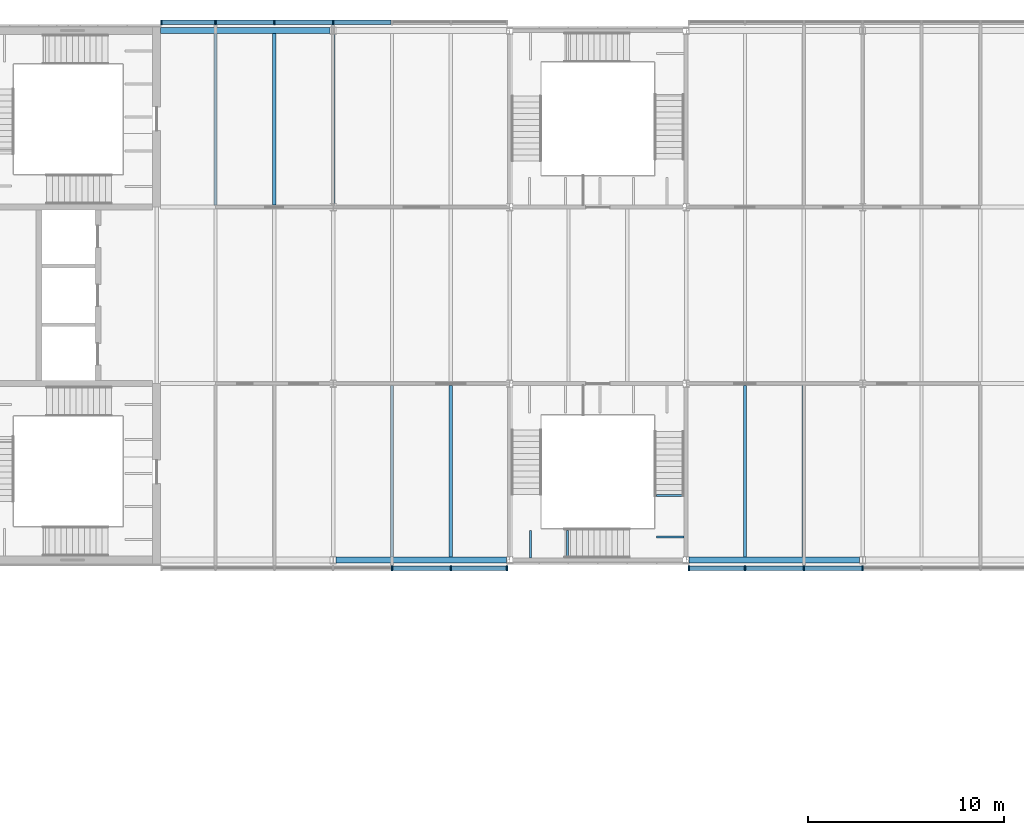
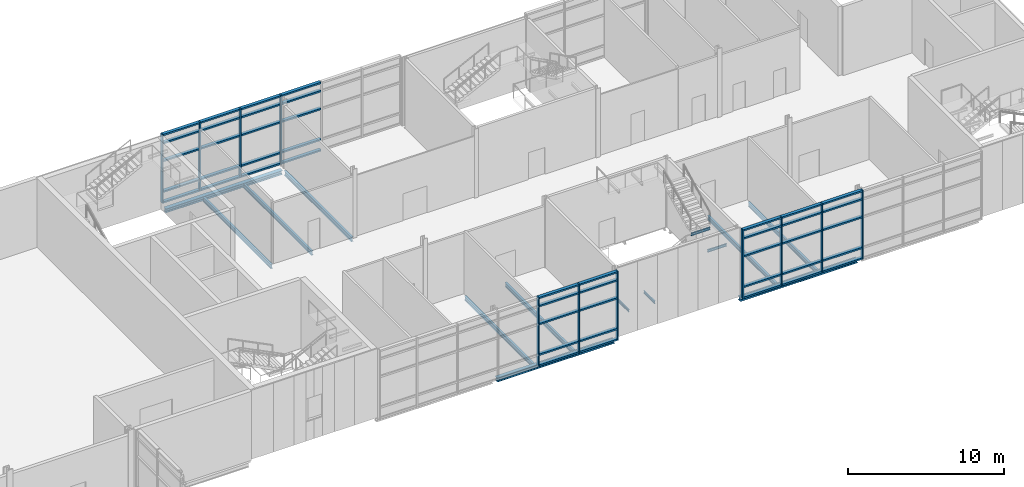
# One storey, part 21 of 52: 56 members, 14 beams, 3 elements without a shape of their own.
"""IFC4 building model written with IfcOpenShell, lengths in metres."""

from ifc_helpers import new_model, si_unit, direction, frame, origin, origin_2d, place, context, subcontext, project, spatial, rectangle, i_section, extrude, material, material_profile, profile_set, type_object, element, aggregate, save


model = new_model("IFC4")

# Units and contexts
model_context = context("Model", 3, precision=1e-05, world=origin(), true_north=direction((0.0, 1.0)))
body_context = subcontext(model_context, "Body", "Model", "MODEL_VIEW")
ifc_project = project(units=[si_unit("LENGTHUNIT", "METRE"), si_unit("AREAUNIT", "SQUARE_METRE"), si_unit("VOLUMEUNIT", "CUBIC_METRE"), si_unit("PLANEANGLEUNIT", "RADIAN"), si_unit("MASSUNIT", "GRAM", prefix="KILO")], contexts=[model_context])

# Site, building, storey
site_placement = place(None, origin())
site = spatial("IfcSite", under=ifc_project, at=site_placement, CompositionType="ELEMENT")
building_placement = place(site_placement, origin())
building = spatial("IfcBuilding", under=site, at=building_placement, Name="Azimuth Sports and Learning Centre", CompositionType="ELEMENT")
storey_placement = place(building_placement, frame((0.0, 0.0, 16.199951171875)))
storey = spatial("IfcBuildingStorey", under=building, at=storey_placement, Name="L03", CompositionType="ELEMENT", Elevation=16.199951171875)

# Beams
ifc_material_1 = material(Name="Steel S355", Category="steel")
ifc_material_profile_1 = material_profile(ifc_material_1, i_section(OverallWidth=0.10009765625, OverallDepth=0.199951171875, WebThickness=0.005615234375, FlangeThickness=0.008544921875, FilletRadius=0.011962890625, at=origin_2d()), Name="IPE 200")
ifc_profile_set_1 = profile_set([ifc_material_profile_1], Name="Steel S355")
beam_type_1 = type_object("IfcBeamType", Name="Beam IPE 200", PredefinedType="BEAM", material=ifc_profile_set_1)
for number, where, z_axis, x_axis, name in (
    (1, (136.06005859375, 90.10009765625, 1.5), (0.0, 1.0, 0.0), (-1.0, 0.0, 0.0), "Landing bracket EM1 L03 944"),
    (2, (137.9599609375, 90.10009765625, 1.5), (0.0, 1.0, 0.0), (-1.0, 0.0, 0.0), "Landing bracket EM1 L03 945"),
    (3, (143.89990234375, 91.172607421875, 3.300048828125), (-1.0, 0.0, 0.0), (0.0, -1.0, 0.0), "Landing bracket EM1 L03 946"),
    (4, (143.89990234375, 93.297607421875, 3.300048828125), (-1.0, 0.0, 0.0), (0.0, -1.0, 0.0), "Landing bracket EM1 L03 947"),
):
    element("IfcBeam", number, at=place(storey_placement, frame(where, z_axis=z_axis, x_axis=x_axis)), inside=storey, type_object=beam_type_1, Name=name, PredefinedType="BEAM", context=body_context, shape_type="SweptSolid", body=[
        extrude(i_section(OverallWidth=0.10009765625, OverallDepth=0.199951171875, WebThickness=0.005615234375, FlangeThickness=0.008544921875, FilletRadius=0.011962890625, at=origin_2d()), origin(), (0.0, 0.0, 1.0), 1.409912109375),
    ])
ifc_material_2 = material(Name="Steel S355", Category="steel")
ifc_material_profile_2 = material_profile(ifc_material_2, i_section(OverallWidth=0.169921875, OverallDepth=0.360107421875, WebThickness=0.008056640625, FlangeThickness=0.0126953125, FilletRadius=0.01806640625, at=origin_2d()), Name="IPE 360")
ifc_profile_set_2 = profile_set([ifc_material_profile_2], Name="Steel S355")
beam_type_2 = type_object("IfcBeamType", Name="Beam IPE 360", PredefinedType="BEAM", material=ifc_profile_set_2)
beam_1_placement = place(storey_placement, frame((126.0, 108.179931640625, -0.329833984375), z_axis=(0.0, 1.0, 0.0), x_axis=(-1.0, 0.0, 0.0)))
element("IfcBeam", 5, at=beam_1_placement, inside=storey, type_object=beam_type_2, Name="Beam L03 WE 20", PredefinedType="BEAM", context=body_context, shape_type="SweptSolid", body=[
    extrude(i_section(OverallWidth=0.169921875, OverallDepth=0.360107421875, WebThickness=0.008056640625, FlangeThickness=0.0126953125, FilletRadius=0.01806640625, at=origin_2d()), origin(), (0.0, 0.0, 1.0), 8.64013671875),
])
ifc_material_3 = material(Name="Steel S355", Category="steel")
ifc_material_profile_3 = material_profile(ifc_material_3, i_section(OverallWidth=0.300048828125, OverallDepth=0.31005859375, WebThickness=0.009033203125, FlangeThickness=0.015380859375, FilletRadius=0.027099609375, at=origin_2d()), Name="HEA 320")
ifc_profile_set_3 = profile_set([ifc_material_profile_3], Name="Steel S355")
beam_type_3 = type_object("IfcBeamType", Name="Edge beam HEA 320", PredefinedType="SPANDREL", material=ifc_profile_set_3)
for number, where, z_axis, x_axis, name in (
    (6, (126.14990234375, 90.0, -0.304931640625), (1.0, 0.0, 0.0), (0.0, 1.0, 0.0), "Edge beam L03 WE 2"),
    (7, (144.14990234375, 90.0, -0.304931640625), (1.0, 0.0, 0.0), (0.0, 1.0, 0.0), "Edge beam L03 WE 3"),
):
    element("IfcBeam", number, at=place(storey_placement, frame(where, z_axis=z_axis, x_axis=x_axis)), inside=storey, type_object=beam_type_3, Name=name, PredefinedType="SPANDREL", context=body_context, shape_type="SweptSolid", body=[
        extrude(i_section(OverallWidth=0.300048828125, OverallDepth=0.31005859375, WebThickness=0.009033203125, FlangeThickness=0.015380859375, FilletRadius=0.027099609375, at=origin_2d()), origin(), (0.0, 0.0, 1.0), 8.7001953125),
    ])
beam_2_placement = place(storey_placement, frame((117.199951171875, 117.0, -0.304931640625), z_axis=(1.0, 0.0, 0.0), x_axis=(0.0, 1.0, 0.0)))
element("IfcBeam", 8, at=beam_2_placement, inside=storey, type_object=beam_type_3, Name="Edge beam L03 WE 13", PredefinedType="SPANDREL", context=body_context, shape_type="SweptSolid", body=[
    extrude(i_section(OverallWidth=0.300048828125, OverallDepth=0.31005859375, WebThickness=0.009033203125, FlangeThickness=0.015380859375, FilletRadius=0.027099609375, at=origin_2d()), origin(), (0.0, 0.0, 1.0), 8.650146484375),
])
ifc_material_4 = material(Name="Steel S355", Category="steel")
ifc_material_profile_4 = material_profile(ifc_material_4, i_section(OverallWidth=0.159912109375, OverallDepth=0.330078125, WebThickness=0.007568359375, FlangeThickness=0.011474609375, FilletRadius=0.01806640625, at=origin_2d()), Name="IPE 330")
ifc_profile_set_4 = profile_set([ifc_material_profile_4], Name="Steel S355")
beam_type_4 = type_object("IfcBeamType", Name="Joist IPE 330", PredefinedType="JOIST", material=ifc_profile_set_4)
for number, where, z_axis, x_axis, name in (
    (9, (120.0, 108.10009765625, -0.31494140625), (0.0, 1.0, 0.0), (-1.0, 0.0, 0.0), "Joist L03 WE 29"),
    (10, (123.0, 108.10009765625, -0.31494140625), (0.0, 1.0, 0.0), (-1.0, 0.0, 0.0), "Joist L03 WE 32"),
    (11, (129.0, 90.14990234375, -0.31494140625), (0.0, 1.0, 0.0), (-1.0, 0.0, 0.0), "Joist L03 WE 33"),
    (12, (132.0, 90.14990234375, -0.31494140625), (0.0, 1.0, 0.0), (-1.0, 0.0, 0.0), "Joist L03 WE 36"),
    (13, (147.0, 90.14990234375, -0.31494140625), (0.0, 1.0, 0.0), (-1.0, 0.0, 0.0), "Joist L03 WE 41"),
    (14, (150.0, 90.14990234375, -0.31494140625), (0.0, 1.0, 0.0), (-1.0, 0.0, 0.0), "Joist L03 WE 44"),
):
    element("IfcBeam", number, at=place(storey_placement, frame(where, z_axis=z_axis, x_axis=x_axis)), inside=storey, type_object=beam_type_4, Name=name, PredefinedType="JOIST", context=body_context, shape_type="SweptSolid", body=[
        extrude(i_section(OverallWidth=0.159912109375, OverallDepth=0.330078125, WebThickness=0.007568359375, FlangeThickness=0.011474609375, FilletRadius=0.01806640625, at=origin_2d()), origin(), (0.0, 0.0, 1.0), 8.75),
    ])

# Curtain wall, members
ifc_material_5 = material(Name="Aluminium and glass", Category="aluminium")
curtain_wall_type = type_object("IfcCurtainWallType", Name="Curtain wall podium wing 240", PredefinedType="NOTDEFINED", material=ifc_material_5)
curtain_wall_1_placement = place(storey_placement, origin())
curtain_wall_1 = element("IfcCurtainWall", 15, at=curtain_wall_1_placement, inside=storey, type_object=curtain_wall_type, Name="Curtain wall CW03-009", PredefinedType="NOTDEFINED")
ifc_material_6 = material(Name="Aluminium", Category="aluminium")
ifc_material_profile_5 = material_profile(ifc_material_6, rectangle(XDim=0.239990234375, YDim=0.080078125, at=origin_2d()), Name="Mullion 80x240")
ifc_profile_set_5 = profile_set([ifc_material_profile_5], Name="Aluminium")
member_type_1 = type_object("IfcMemberType", Name="Mullion 80x240", PredefinedType="MULLION", material=ifc_profile_set_5)
member_1_placement = place(storey_placement, frame((129.0, 89.580078125, 0.0), z_axis=(0.0, 0.0, 1.0), x_axis=(0.0, 1.0, 0.0)))
member_1 = element("IfcMember", 16, at=member_1_placement, type_object=member_type_1, Name="CW03-009 mullion 5", PredefinedType="MULLION", context=body_context, shape_type="SweptSolid", body=[
    extrude(rectangle(XDim=0.239990234375, YDim=0.080078125, at=origin_2d()), origin(), (0.0, 0.0, 1.0), 5.400146484375),
])
member_2_placement = place(storey_placement, frame((132.0, 89.580078125, 0.0), z_axis=(0.0, 0.0, 1.0), x_axis=(0.0, 1.0, 0.0)))
member_2 = element("IfcMember", 17, at=member_2_placement, type_object=member_type_1, Name="CW03-009 mullion 6", PredefinedType="MULLION", context=body_context, shape_type="SweptSolid", body=[
    extrude(rectangle(XDim=0.239990234375, YDim=0.080078125, at=origin_2d()), origin(), (0.0, 0.0, 1.0), 5.400146484375),
])
member_3_placement = place(storey_placement, frame((134.860107421875, 89.580078125, 0.0), z_axis=(0.0, 0.0, 1.0), x_axis=(0.0, 1.0, 0.0)))
member_3 = element("IfcMember", 18, at=member_3_placement, type_object=member_type_1, Name="CW03-009 mullion 7", PredefinedType="MULLION", context=body_context, shape_type="SweptSolid", body=[
    extrude(rectangle(XDim=0.239990234375, YDim=0.080078125, at=origin_2d()), origin(), (0.0, 0.0, 1.0), 5.400146484375),
])

curtain_wall_2_placement = place(storey_placement, origin())
curtain_wall_2 = element("IfcCurtainWall", 19, at=curtain_wall_2_placement, inside=storey, type_object=curtain_wall_type, Name="Curtain wall CW03-010", PredefinedType="NOTDEFINED")
member_4_placement = place(storey_placement, frame((144.139892578125, 89.580078125, 0.0), z_axis=(0.0, 0.0, 1.0), x_axis=(0.0, 1.0, 0.0)))
member_4 = element("IfcMember", 20, at=member_4_placement, type_object=member_type_1, Name="CW03-010 mullion 1", PredefinedType="MULLION", context=body_context, shape_type="SweptSolid", body=[
    extrude(rectangle(XDim=0.239990234375, YDim=0.080078125, at=origin_2d()), origin(), (0.0, 0.0, 1.0), 5.400146484375),
])
member_5_placement = place(storey_placement, frame((147.0, 89.580078125, 0.0), z_axis=(0.0, 0.0, 1.0), x_axis=(0.0, 1.0, 0.0)))
member_5 = element("IfcMember", 21, at=member_5_placement, type_object=member_type_1, Name="CW03-010 mullion 2", PredefinedType="MULLION", context=body_context, shape_type="SweptSolid", body=[
    extrude(rectangle(XDim=0.239990234375, YDim=0.080078125, at=origin_2d()), origin(), (0.0, 0.0, 1.0), 5.400146484375),
])
member_6_placement = place(storey_placement, frame((150.0, 89.580078125, 0.0), z_axis=(0.0, 0.0, 1.0), x_axis=(0.0, 1.0, 0.0)))
member_6 = element("IfcMember", 22, at=member_6_placement, type_object=member_type_1, Name="CW03-010 mullion 3", PredefinedType="MULLION", context=body_context, shape_type="SweptSolid", body=[
    extrude(rectangle(XDim=0.239990234375, YDim=0.080078125, at=origin_2d()), origin(), (0.0, 0.0, 1.0), 5.400146484375),
])
member_7_placement = place(storey_placement, frame((153.0, 89.580078125, 0.0), z_axis=(0.0, 0.0, 1.0), x_axis=(0.0, 1.0, 0.0)))
member_7 = element("IfcMember", 23, at=member_7_placement, type_object=member_type_1, Name="CW03-010 mullion 4", PredefinedType="MULLION", context=body_context, shape_type="SweptSolid", body=[
    extrude(rectangle(XDim=0.239990234375, YDim=0.080078125, at=origin_2d()), origin(), (0.0, 0.0, 1.0), 5.400146484375),
])

curtain_wall_3_placement = place(storey_placement, origin())
curtain_wall_3 = element("IfcCurtainWall", 24, at=curtain_wall_3_placement, inside=storey, type_object=curtain_wall_type, Name="Curtain wall CW03-012", PredefinedType="NOTDEFINED")
member_8_placement = place(storey_placement, frame((126.0, 117.419921875, 0.0), z_axis=(0.0, 0.0, 1.0), x_axis=(0.0, -1.0, 0.0)))
member_8 = element("IfcMember", 25, at=member_8_placement, type_object=member_type_1, Name="CW03-012 mullion 4", PredefinedType="MULLION", context=body_context, shape_type="SweptSolid", body=[
    extrude(rectangle(XDim=0.239990234375, YDim=0.080078125, at=origin_2d()), origin(), (0.0, 0.0, 1.0), 5.400146484375),
])
member_9_placement = place(storey_placement, frame((123.0, 117.419921875, 0.0), z_axis=(0.0, 0.0, 1.0), x_axis=(0.0, -1.0, 0.0)))
member_9 = element("IfcMember", 26, at=member_9_placement, type_object=member_type_1, Name="CW03-012 mullion 5", PredefinedType="MULLION", context=body_context, shape_type="SweptSolid", body=[
    extrude(rectangle(XDim=0.239990234375, YDim=0.080078125, at=origin_2d()), origin(), (0.0, 0.0, 1.0), 5.400146484375),
])
member_10_placement = place(storey_placement, frame((120.0, 117.419921875, 0.0), z_axis=(0.0, 0.0, 1.0), x_axis=(0.0, -1.0, 0.0)))
member_10 = element("IfcMember", 27, at=member_10_placement, type_object=member_type_1, Name="CW03-012 mullion 6", PredefinedType="MULLION", context=body_context, shape_type="SweptSolid", body=[
    extrude(rectangle(XDim=0.239990234375, YDim=0.080078125, at=origin_2d()), origin(), (0.0, 0.0, 1.0), 5.400146484375),
])
member_11_placement = place(storey_placement, frame((117.239990234375, 117.419921875, 0.0), z_axis=(0.0, 0.0, 1.0), x_axis=(0.0, -1.0, 0.0)))
member_11 = element("IfcMember", 28, at=member_11_placement, type_object=member_type_1, Name="CW03-012 mullion 7", PredefinedType="MULLION", context=body_context, shape_type="SweptSolid", body=[
    extrude(rectangle(XDim=0.239990234375, YDim=0.080078125, at=origin_2d()), origin(), (0.0, 0.0, 1.0), 5.400146484375),
])

# Member
ifc_material_7 = material(Name="Aluminium", Category="aluminium")
ifc_material_profile_6 = material_profile(ifc_material_7, rectangle(XDim=0.239990234375, YDim=0.1201171875, at=origin_2d()), Name="Transom 120x240")
ifc_profile_set_6 = profile_set([ifc_material_profile_6], Name="Aluminium")
member_type_2 = type_object("IfcMemberType", Name="Transom 120x240", PredefinedType="USERDEFINED", material=ifc_profile_set_6)
member_12_placement = place(storey_placement, frame((129.0400390625, 89.580078125, 0.06005859375), z_axis=(1.0, 0.0, 0.0), x_axis=(0.0, 1.0, 0.0)))
member_12 = element("IfcMember", 29, at=member_12_placement, type_object=member_type_2, Name="CW03-009 transom 5.1", ObjectType="TRANSOM", PredefinedType="USERDEFINED", context=body_context, shape_type="SweptSolid", body=[
    extrude(rectangle(XDim=0.239990234375, YDim=0.1201171875, at=origin_2d()), origin(), (0.0, 0.0, 1.0), 2.919921875),
])

member_13_placement = place(storey_placement, frame((129.0400390625, 89.580078125, 0.900146484375), z_axis=(1.0, 0.0, 0.0), x_axis=(0.0, 1.0, 0.0)))
member_13 = element("IfcMember", 30, at=member_13_placement, type_object=member_type_2, Name="CW03-009 transom 5.2", ObjectType="TRANSOM", PredefinedType="USERDEFINED", context=body_context, shape_type="SweptSolid", body=[
    extrude(rectangle(XDim=0.239990234375, YDim=0.1201171875, at=origin_2d()), origin(), (0.0, 0.0, 1.0), 2.919921875),
])

member_14_placement = place(storey_placement, frame((129.0400390625, 89.580078125, 3.300048828125), z_axis=(1.0, 0.0, 0.0), x_axis=(0.0, 1.0, 0.0)))
member_14 = element("IfcMember", 31, at=member_14_placement, type_object=member_type_2, Name="CW03-009 transom 5.3", ObjectType="TRANSOM", PredefinedType="USERDEFINED", context=body_context, shape_type="SweptSolid", body=[
    extrude(rectangle(XDim=0.239990234375, YDim=0.1201171875, at=origin_2d()), origin(), (0.0, 0.0, 1.0), 2.919921875),
])

member_15_placement = place(storey_placement, frame((129.0400390625, 89.580078125, 4.699951171875), z_axis=(1.0, 0.0, 0.0), x_axis=(0.0, 1.0, 0.0)))
member_15 = element("IfcMember", 32, at=member_15_placement, type_object=member_type_2, Name="CW03-009 transom 5.4", ObjectType="TRANSOM", PredefinedType="USERDEFINED", context=body_context, shape_type="SweptSolid", body=[
    extrude(rectangle(XDim=0.239990234375, YDim=0.1201171875, at=origin_2d()), origin(), (0.0, 0.0, 1.0), 2.919921875),
])

member_16_placement = place(storey_placement, frame((129.0400390625, 89.580078125, 5.340087890625), z_axis=(1.0, 0.0, 0.0), x_axis=(0.0, 1.0, 0.0)))
member_16 = element("IfcMember", 33, at=member_16_placement, type_object=member_type_2, Name="CW03-009 transom 5.5", ObjectType="TRANSOM", PredefinedType="USERDEFINED", context=body_context, shape_type="SweptSolid", body=[
    extrude(rectangle(XDim=0.239990234375, YDim=0.1201171875, at=origin_2d()), origin(), (0.0, 0.0, 1.0), 2.919921875),
])

member_17_placement = place(storey_placement, frame((132.0400390625, 89.580078125, 0.06005859375), z_axis=(1.0, 0.0, 0.0), x_axis=(0.0, 1.0, 0.0)))
member_17 = element("IfcMember", 34, at=member_17_placement, type_object=member_type_2, Name="CW03-009 transom 6.1", ObjectType="TRANSOM", PredefinedType="USERDEFINED", context=body_context, shape_type="SweptSolid", body=[
    extrude(rectangle(XDim=0.239990234375, YDim=0.1201171875, at=origin_2d()), origin(), (0.0, 0.0, 1.0), 2.780029296875),
])

member_18_placement = place(storey_placement, frame((132.0400390625, 89.580078125, 0.900146484375), z_axis=(1.0, 0.0, 0.0), x_axis=(0.0, 1.0, 0.0)))
member_18 = element("IfcMember", 35, at=member_18_placement, type_object=member_type_2, Name="CW03-009 transom 6.2", ObjectType="TRANSOM", PredefinedType="USERDEFINED", context=body_context, shape_type="SweptSolid", body=[
    extrude(rectangle(XDim=0.239990234375, YDim=0.1201171875, at=origin_2d()), origin(), (0.0, 0.0, 1.0), 2.780029296875),
])

member_19_placement = place(storey_placement, frame((132.0400390625, 89.580078125, 3.300048828125), z_axis=(1.0, 0.0, 0.0), x_axis=(0.0, 1.0, 0.0)))
member_19 = element("IfcMember", 36, at=member_19_placement, type_object=member_type_2, Name="CW03-009 transom 6.3", ObjectType="TRANSOM", PredefinedType="USERDEFINED", context=body_context, shape_type="SweptSolid", body=[
    extrude(rectangle(XDim=0.239990234375, YDim=0.1201171875, at=origin_2d()), origin(), (0.0, 0.0, 1.0), 2.780029296875),
])

member_20_placement = place(storey_placement, frame((132.0400390625, 89.580078125, 4.699951171875), z_axis=(1.0, 0.0, 0.0), x_axis=(0.0, 1.0, 0.0)))
member_20 = element("IfcMember", 37, at=member_20_placement, type_object=member_type_2, Name="CW03-009 transom 6.4", ObjectType="TRANSOM", PredefinedType="USERDEFINED", context=body_context, shape_type="SweptSolid", body=[
    extrude(rectangle(XDim=0.239990234375, YDim=0.1201171875, at=origin_2d()), origin(), (0.0, 0.0, 1.0), 2.780029296875),
])

member_21_placement = place(storey_placement, frame((132.0400390625, 89.580078125, 5.340087890625), z_axis=(1.0, 0.0, 0.0), x_axis=(0.0, 1.0, 0.0)))
member_21 = element("IfcMember", 38, at=member_21_placement, type_object=member_type_2, Name="CW03-009 transom 6.5", ObjectType="TRANSOM", PredefinedType="USERDEFINED", context=body_context, shape_type="SweptSolid", body=[
    extrude(rectangle(XDim=0.239990234375, YDim=0.1201171875, at=origin_2d()), origin(), (0.0, 0.0, 1.0), 2.780029296875),
])

aggregate(curtain_wall_1, [member_1, member_2, member_3, member_12, member_13, member_14, member_15, member_16, member_17, member_18, member_19, member_20, member_21])

member_22_placement = place(storey_placement, frame((144.179931640625, 89.580078125, 0.06005859375), z_axis=(1.0, 0.0, 0.0), x_axis=(0.0, 1.0, 0.0)))
member_22 = element("IfcMember", 39, at=member_22_placement, type_object=member_type_2, Name="CW03-010 transom 1.1", ObjectType="TRANSOM", PredefinedType="USERDEFINED", context=body_context, shape_type="SweptSolid", body=[
    extrude(rectangle(XDim=0.239990234375, YDim=0.1201171875, at=origin_2d()), origin(), (0.0, 0.0, 1.0), 2.780029296875),
])

member_23_placement = place(storey_placement, frame((144.179931640625, 89.580078125, 0.900146484375), z_axis=(1.0, 0.0, 0.0), x_axis=(0.0, 1.0, 0.0)))
member_23 = element("IfcMember", 40, at=member_23_placement, type_object=member_type_2, Name="CW03-010 transom 1.2", ObjectType="TRANSOM", PredefinedType="USERDEFINED", context=body_context, shape_type="SweptSolid", body=[
    extrude(rectangle(XDim=0.239990234375, YDim=0.1201171875, at=origin_2d()), origin(), (0.0, 0.0, 1.0), 2.780029296875),
])

member_24_placement = place(storey_placement, frame((144.179931640625, 89.580078125, 3.300048828125), z_axis=(1.0, 0.0, 0.0), x_axis=(0.0, 1.0, 0.0)))
member_24 = element("IfcMember", 41, at=member_24_placement, type_object=member_type_2, Name="CW03-010 transom 1.3", ObjectType="TRANSOM", PredefinedType="USERDEFINED", context=body_context, shape_type="SweptSolid", body=[
    extrude(rectangle(XDim=0.239990234375, YDim=0.1201171875, at=origin_2d()), origin(), (0.0, 0.0, 1.0), 2.780029296875),
])

member_25_placement = place(storey_placement, frame((144.179931640625, 89.580078125, 4.699951171875), z_axis=(1.0, 0.0, 0.0), x_axis=(0.0, 1.0, 0.0)))
member_25 = element("IfcMember", 42, at=member_25_placement, type_object=member_type_2, Name="CW03-010 transom 1.4", ObjectType="TRANSOM", PredefinedType="USERDEFINED", context=body_context, shape_type="SweptSolid", body=[
    extrude(rectangle(XDim=0.239990234375, YDim=0.1201171875, at=origin_2d()), origin(), (0.0, 0.0, 1.0), 2.780029296875),
])

member_26_placement = place(storey_placement, frame((144.179931640625, 89.580078125, 5.340087890625), z_axis=(1.0, 0.0, 0.0), x_axis=(0.0, 1.0, 0.0)))
member_26 = element("IfcMember", 43, at=member_26_placement, type_object=member_type_2, Name="CW03-010 transom 1.5", ObjectType="TRANSOM", PredefinedType="USERDEFINED", context=body_context, shape_type="SweptSolid", body=[
    extrude(rectangle(XDim=0.239990234375, YDim=0.1201171875, at=origin_2d()), origin(), (0.0, 0.0, 1.0), 2.780029296875),
])

member_27_placement = place(storey_placement, frame((147.0400390625, 89.580078125, 0.06005859375), z_axis=(1.0, 0.0, 0.0), x_axis=(0.0, 1.0, 0.0)))
member_27 = element("IfcMember", 44, at=member_27_placement, type_object=member_type_2, Name="CW03-010 transom 2.1", ObjectType="TRANSOM", PredefinedType="USERDEFINED", context=body_context, shape_type="SweptSolid", body=[
    extrude(rectangle(XDim=0.239990234375, YDim=0.1201171875, at=origin_2d()), origin(), (0.0, 0.0, 1.0), 2.919921875),
])

member_28_placement = place(storey_placement, frame((147.0400390625, 89.580078125, 0.900146484375), z_axis=(1.0, 0.0, 0.0), x_axis=(0.0, 1.0, 0.0)))
member_28 = element("IfcMember", 45, at=member_28_placement, type_object=member_type_2, Name="CW03-010 transom 2.2", ObjectType="TRANSOM", PredefinedType="USERDEFINED", context=body_context, shape_type="SweptSolid", body=[
    extrude(rectangle(XDim=0.239990234375, YDim=0.1201171875, at=origin_2d()), origin(), (0.0, 0.0, 1.0), 2.919921875),
])

member_29_placement = place(storey_placement, frame((147.0400390625, 89.580078125, 3.300048828125), z_axis=(1.0, 0.0, 0.0), x_axis=(0.0, 1.0, 0.0)))
member_29 = element("IfcMember", 46, at=member_29_placement, type_object=member_type_2, Name="CW03-010 transom 2.3", ObjectType="TRANSOM", PredefinedType="USERDEFINED", context=body_context, shape_type="SweptSolid", body=[
    extrude(rectangle(XDim=0.239990234375, YDim=0.1201171875, at=origin_2d()), origin(), (0.0, 0.0, 1.0), 2.919921875),
])

member_30_placement = place(storey_placement, frame((147.0400390625, 89.580078125, 4.699951171875), z_axis=(1.0, 0.0, 0.0), x_axis=(0.0, 1.0, 0.0)))
member_30 = element("IfcMember", 47, at=member_30_placement, type_object=member_type_2, Name="CW03-010 transom 2.4", ObjectType="TRANSOM", PredefinedType="USERDEFINED", context=body_context, shape_type="SweptSolid", body=[
    extrude(rectangle(XDim=0.239990234375, YDim=0.1201171875, at=origin_2d()), origin(), (0.0, 0.0, 1.0), 2.919921875),
])

member_31_placement = place(storey_placement, frame((147.0400390625, 89.580078125, 5.340087890625), z_axis=(1.0, 0.0, 0.0), x_axis=(0.0, 1.0, 0.0)))
member_31 = element("IfcMember", 48, at=member_31_placement, type_object=member_type_2, Name="CW03-010 transom 2.5", ObjectType="TRANSOM", PredefinedType="USERDEFINED", context=body_context, shape_type="SweptSolid", body=[
    extrude(rectangle(XDim=0.239990234375, YDim=0.1201171875, at=origin_2d()), origin(), (0.0, 0.0, 1.0), 2.919921875),
])

member_32_placement = place(storey_placement, frame((150.0400390625, 89.580078125, 0.06005859375), z_axis=(1.0, 0.0, 0.0), x_axis=(0.0, 1.0, 0.0)))
member_32 = element("IfcMember", 49, at=member_32_placement, type_object=member_type_2, Name="CW03-010 transom 3.1", ObjectType="TRANSOM", PredefinedType="USERDEFINED", context=body_context, shape_type="SweptSolid", body=[
    extrude(rectangle(XDim=0.239990234375, YDim=0.1201171875, at=origin_2d()), origin(), (0.0, 0.0, 1.0), 2.919921875),
])

member_33_placement = place(storey_placement, frame((150.0400390625, 89.580078125, 0.900146484375), z_axis=(1.0, 0.0, 0.0), x_axis=(0.0, 1.0, 0.0)))
member_33 = element("IfcMember", 50, at=member_33_placement, type_object=member_type_2, Name="CW03-010 transom 3.2", ObjectType="TRANSOM", PredefinedType="USERDEFINED", context=body_context, shape_type="SweptSolid", body=[
    extrude(rectangle(XDim=0.239990234375, YDim=0.1201171875, at=origin_2d()), origin(), (0.0, 0.0, 1.0), 2.919921875),
])

member_34_placement = place(storey_placement, frame((150.0400390625, 89.580078125, 3.300048828125), z_axis=(1.0, 0.0, 0.0), x_axis=(0.0, 1.0, 0.0)))
member_34 = element("IfcMember", 51, at=member_34_placement, type_object=member_type_2, Name="CW03-010 transom 3.3", ObjectType="TRANSOM", PredefinedType="USERDEFINED", context=body_context, shape_type="SweptSolid", body=[
    extrude(rectangle(XDim=0.239990234375, YDim=0.1201171875, at=origin_2d()), origin(), (0.0, 0.0, 1.0), 2.919921875),
])

member_35_placement = place(storey_placement, frame((150.0400390625, 89.580078125, 4.699951171875), z_axis=(1.0, 0.0, 0.0), x_axis=(0.0, 1.0, 0.0)))
member_35 = element("IfcMember", 52, at=member_35_placement, type_object=member_type_2, Name="CW03-010 transom 3.4", ObjectType="TRANSOM", PredefinedType="USERDEFINED", context=body_context, shape_type="SweptSolid", body=[
    extrude(rectangle(XDim=0.239990234375, YDim=0.1201171875, at=origin_2d()), origin(), (0.0, 0.0, 1.0), 2.919921875),
])

member_36_placement = place(storey_placement, frame((150.0400390625, 89.580078125, 5.340087890625), z_axis=(1.0, 0.0, 0.0), x_axis=(0.0, 1.0, 0.0)))
member_36 = element("IfcMember", 53, at=member_36_placement, type_object=member_type_2, Name="CW03-010 transom 3.5", ObjectType="TRANSOM", PredefinedType="USERDEFINED", context=body_context, shape_type="SweptSolid", body=[
    extrude(rectangle(XDim=0.239990234375, YDim=0.1201171875, at=origin_2d()), origin(), (0.0, 0.0, 1.0), 2.919921875),
])

aggregate(curtain_wall_2, [member_4, member_5, member_6, member_7, member_22, member_23, member_24, member_25, member_26, member_27, member_28, member_29, member_30, member_31, member_32, member_33, member_34, member_35, member_36])

member_37_placement = place(storey_placement, frame((128.9599609375, 117.419921875, 0.06005859375), z_axis=(-1.0, 0.0, 0.0), x_axis=(0.0, -1.0, 0.0)))
member_37 = element("IfcMember", 54, at=member_37_placement, type_object=member_type_2, Name="CW03-012 transom 3.1", ObjectType="TRANSOM", PredefinedType="USERDEFINED", context=body_context, shape_type="SweptSolid", body=[
    extrude(rectangle(XDim=0.239990234375, YDim=0.1201171875, at=origin_2d()), origin(), (0.0, 0.0, 1.0), 2.919921875),
])

member_38_placement = place(storey_placement, frame((128.9599609375, 117.419921875, 0.900146484375), z_axis=(-1.0, 0.0, 0.0), x_axis=(0.0, -1.0, 0.0)))
member_38 = element("IfcMember", 55, at=member_38_placement, type_object=member_type_2, Name="CW03-012 transom 3.2", ObjectType="TRANSOM", PredefinedType="USERDEFINED", context=body_context, shape_type="SweptSolid", body=[
    extrude(rectangle(XDim=0.239990234375, YDim=0.1201171875, at=origin_2d()), origin(), (0.0, 0.0, 1.0), 2.919921875),
])

member_39_placement = place(storey_placement, frame((128.9599609375, 117.419921875, 3.300048828125), z_axis=(-1.0, 0.0, 0.0), x_axis=(0.0, -1.0, 0.0)))
member_39 = element("IfcMember", 56, at=member_39_placement, type_object=member_type_2, Name="CW03-012 transom 3.3", ObjectType="TRANSOM", PredefinedType="USERDEFINED", context=body_context, shape_type="SweptSolid", body=[
    extrude(rectangle(XDim=0.239990234375, YDim=0.1201171875, at=origin_2d()), origin(), (0.0, 0.0, 1.0), 2.919921875),
])

member_40_placement = place(storey_placement, frame((128.9599609375, 117.419921875, 4.699951171875), z_axis=(-1.0, 0.0, 0.0), x_axis=(0.0, -1.0, 0.0)))
member_40 = element("IfcMember", 57, at=member_40_placement, type_object=member_type_2, Name="CW03-012 transom 3.4", ObjectType="TRANSOM", PredefinedType="USERDEFINED", context=body_context, shape_type="SweptSolid", body=[
    extrude(rectangle(XDim=0.239990234375, YDim=0.1201171875, at=origin_2d()), origin(), (0.0, 0.0, 1.0), 2.919921875),
])

member_41_placement = place(storey_placement, frame((128.9599609375, 117.419921875, 5.340087890625), z_axis=(-1.0, 0.0, 0.0), x_axis=(0.0, -1.0, 0.0)))
member_41 = element("IfcMember", 58, at=member_41_placement, type_object=member_type_2, Name="CW03-012 transom 3.5", ObjectType="TRANSOM", PredefinedType="USERDEFINED", context=body_context, shape_type="SweptSolid", body=[
    extrude(rectangle(XDim=0.239990234375, YDim=0.1201171875, at=origin_2d()), origin(), (0.0, 0.0, 1.0), 2.919921875),
])

member_42_placement = place(storey_placement, frame((125.9599609375, 117.419921875, 0.06005859375), z_axis=(-1.0, 0.0, 0.0), x_axis=(0.0, -1.0, 0.0)))
member_42 = element("IfcMember", 59, at=member_42_placement, type_object=member_type_2, Name="CW03-012 transom 4.1", ObjectType="TRANSOM", PredefinedType="USERDEFINED", context=body_context, shape_type="SweptSolid", body=[
    extrude(rectangle(XDim=0.239990234375, YDim=0.1201171875, at=origin_2d()), origin(), (0.0, 0.0, 1.0), 2.919921875),
])

member_43_placement = place(storey_placement, frame((125.9599609375, 117.419921875, 0.900146484375), z_axis=(-1.0, 0.0, 0.0), x_axis=(0.0, -1.0, 0.0)))
member_43 = element("IfcMember", 60, at=member_43_placement, type_object=member_type_2, Name="CW03-012 transom 4.2", ObjectType="TRANSOM", PredefinedType="USERDEFINED", context=body_context, shape_type="SweptSolid", body=[
    extrude(rectangle(XDim=0.239990234375, YDim=0.1201171875, at=origin_2d()), origin(), (0.0, 0.0, 1.0), 2.919921875),
])

member_44_placement = place(storey_placement, frame((125.9599609375, 117.419921875, 3.300048828125), z_axis=(-1.0, 0.0, 0.0), x_axis=(0.0, -1.0, 0.0)))
member_44 = element("IfcMember", 61, at=member_44_placement, type_object=member_type_2, Name="CW03-012 transom 4.3", ObjectType="TRANSOM", PredefinedType="USERDEFINED", context=body_context, shape_type="SweptSolid", body=[
    extrude(rectangle(XDim=0.239990234375, YDim=0.1201171875, at=origin_2d()), origin(), (0.0, 0.0, 1.0), 2.919921875),
])

member_45_placement = place(storey_placement, frame((125.9599609375, 117.419921875, 4.699951171875), z_axis=(-1.0, 0.0, 0.0), x_axis=(0.0, -1.0, 0.0)))
member_45 = element("IfcMember", 62, at=member_45_placement, type_object=member_type_2, Name="CW03-012 transom 4.4", ObjectType="TRANSOM", PredefinedType="USERDEFINED", context=body_context, shape_type="SweptSolid", body=[
    extrude(rectangle(XDim=0.239990234375, YDim=0.1201171875, at=origin_2d()), origin(), (0.0, 0.0, 1.0), 2.919921875),
])

member_46_placement = place(storey_placement, frame((125.9599609375, 117.419921875, 5.340087890625), z_axis=(-1.0, 0.0, 0.0), x_axis=(0.0, -1.0, 0.0)))
member_46 = element("IfcMember", 63, at=member_46_placement, type_object=member_type_2, Name="CW03-012 transom 4.5", ObjectType="TRANSOM", PredefinedType="USERDEFINED", context=body_context, shape_type="SweptSolid", body=[
    extrude(rectangle(XDim=0.239990234375, YDim=0.1201171875, at=origin_2d()), origin(), (0.0, 0.0, 1.0), 2.919921875),
])

member_47_placement = place(storey_placement, frame((122.9599609375, 117.419921875, 0.06005859375), z_axis=(-1.0, 0.0, 0.0), x_axis=(0.0, -1.0, 0.0)))
member_47 = element("IfcMember", 64, at=member_47_placement, type_object=member_type_2, Name="CW03-012 transom 5.1", ObjectType="TRANSOM", PredefinedType="USERDEFINED", context=body_context, shape_type="SweptSolid", body=[
    extrude(rectangle(XDim=0.239990234375, YDim=0.1201171875, at=origin_2d()), origin(), (0.0, 0.0, 1.0), 2.919921875),
])

member_48_placement = place(storey_placement, frame((122.9599609375, 117.419921875, 0.900146484375), z_axis=(-1.0, 0.0, 0.0), x_axis=(0.0, -1.0, 0.0)))
member_48 = element("IfcMember", 65, at=member_48_placement, type_object=member_type_2, Name="CW03-012 transom 5.2", ObjectType="TRANSOM", PredefinedType="USERDEFINED", context=body_context, shape_type="SweptSolid", body=[
    extrude(rectangle(XDim=0.239990234375, YDim=0.1201171875, at=origin_2d()), origin(), (0.0, 0.0, 1.0), 2.919921875),
])

member_49_placement = place(storey_placement, frame((122.9599609375, 117.419921875, 3.300048828125), z_axis=(-1.0, 0.0, 0.0), x_axis=(0.0, -1.0, 0.0)))
member_49 = element("IfcMember", 66, at=member_49_placement, type_object=member_type_2, Name="CW03-012 transom 5.3", ObjectType="TRANSOM", PredefinedType="USERDEFINED", context=body_context, shape_type="SweptSolid", body=[
    extrude(rectangle(XDim=0.239990234375, YDim=0.1201171875, at=origin_2d()), origin(), (0.0, 0.0, 1.0), 2.919921875),
])

member_50_placement = place(storey_placement, frame((122.9599609375, 117.419921875, 4.699951171875), z_axis=(-1.0, 0.0, 0.0), x_axis=(0.0, -1.0, 0.0)))
member_50 = element("IfcMember", 67, at=member_50_placement, type_object=member_type_2, Name="CW03-012 transom 5.4", ObjectType="TRANSOM", PredefinedType="USERDEFINED", context=body_context, shape_type="SweptSolid", body=[
    extrude(rectangle(XDim=0.239990234375, YDim=0.1201171875, at=origin_2d()), origin(), (0.0, 0.0, 1.0), 2.919921875),
])

member_51_placement = place(storey_placement, frame((122.9599609375, 117.419921875, 5.340087890625), z_axis=(-1.0, 0.0, 0.0), x_axis=(0.0, -1.0, 0.0)))
member_51 = element("IfcMember", 68, at=member_51_placement, type_object=member_type_2, Name="CW03-012 transom 5.5", ObjectType="TRANSOM", PredefinedType="USERDEFINED", context=body_context, shape_type="SweptSolid", body=[
    extrude(rectangle(XDim=0.239990234375, YDim=0.1201171875, at=origin_2d()), origin(), (0.0, 0.0, 1.0), 2.919921875),
])

member_52_placement = place(storey_placement, frame((119.9599609375, 117.419921875, 0.06005859375), z_axis=(-1.0, 0.0, 0.0), x_axis=(0.0, -1.0, 0.0)))
member_52 = element("IfcMember", 69, at=member_52_placement, type_object=member_type_2, Name="CW03-012 transom 6.1", ObjectType="TRANSOM", PredefinedType="USERDEFINED", context=body_context, shape_type="SweptSolid", body=[
    extrude(rectangle(XDim=0.239990234375, YDim=0.1201171875, at=origin_2d()), origin(), (0.0, 0.0, 1.0), 2.679931640625),
])

member_53_placement = place(storey_placement, frame((119.9599609375, 117.419921875, 0.900146484375), z_axis=(-1.0, 0.0, 0.0), x_axis=(0.0, -1.0, 0.0)))
member_53 = element("IfcMember", 70, at=member_53_placement, type_object=member_type_2, Name="CW03-012 transom 6.2", ObjectType="TRANSOM", PredefinedType="USERDEFINED", context=body_context, shape_type="SweptSolid", body=[
    extrude(rectangle(XDim=0.239990234375, YDim=0.1201171875, at=origin_2d()), origin(), (0.0, 0.0, 1.0), 2.679931640625),
])

member_54_placement = place(storey_placement, frame((119.9599609375, 117.419921875, 3.300048828125), z_axis=(-1.0, 0.0, 0.0), x_axis=(0.0, -1.0, 0.0)))
member_54 = element("IfcMember", 71, at=member_54_placement, type_object=member_type_2, Name="CW03-012 transom 6.3", ObjectType="TRANSOM", PredefinedType="USERDEFINED", context=body_context, shape_type="SweptSolid", body=[
    extrude(rectangle(XDim=0.239990234375, YDim=0.1201171875, at=origin_2d()), origin(), (0.0, 0.0, 1.0), 2.679931640625),
])

member_55_placement = place(storey_placement, frame((119.9599609375, 117.419921875, 4.699951171875), z_axis=(-1.0, 0.0, 0.0), x_axis=(0.0, -1.0, 0.0)))
member_55 = element("IfcMember", 72, at=member_55_placement, type_object=member_type_2, Name="CW03-012 transom 6.4", ObjectType="TRANSOM", PredefinedType="USERDEFINED", context=body_context, shape_type="SweptSolid", body=[
    extrude(rectangle(XDim=0.239990234375, YDim=0.1201171875, at=origin_2d()), origin(), (0.0, 0.0, 1.0), 2.679931640625),
])

member_56_placement = place(storey_placement, frame((119.9599609375, 117.419921875, 5.340087890625), z_axis=(-1.0, 0.0, 0.0), x_axis=(0.0, -1.0, 0.0)))
member_56 = element("IfcMember", 73, at=member_56_placement, type_object=member_type_2, Name="CW03-012 transom 6.5", ObjectType="TRANSOM", PredefinedType="USERDEFINED", context=body_context, shape_type="SweptSolid", body=[
    extrude(rectangle(XDim=0.239990234375, YDim=0.1201171875, at=origin_2d()), origin(), (0.0, 0.0, 1.0), 2.679931640625),
])

aggregate(curtain_wall_3, [member_8, member_9, member_10, member_11, member_37, member_38, member_39, member_40, member_41, member_42, member_43, member_44, member_45, member_46, member_47, member_48, member_49, member_50, member_51, member_52, member_53, member_54, member_55, member_56])

save(model, "model.ifc")
